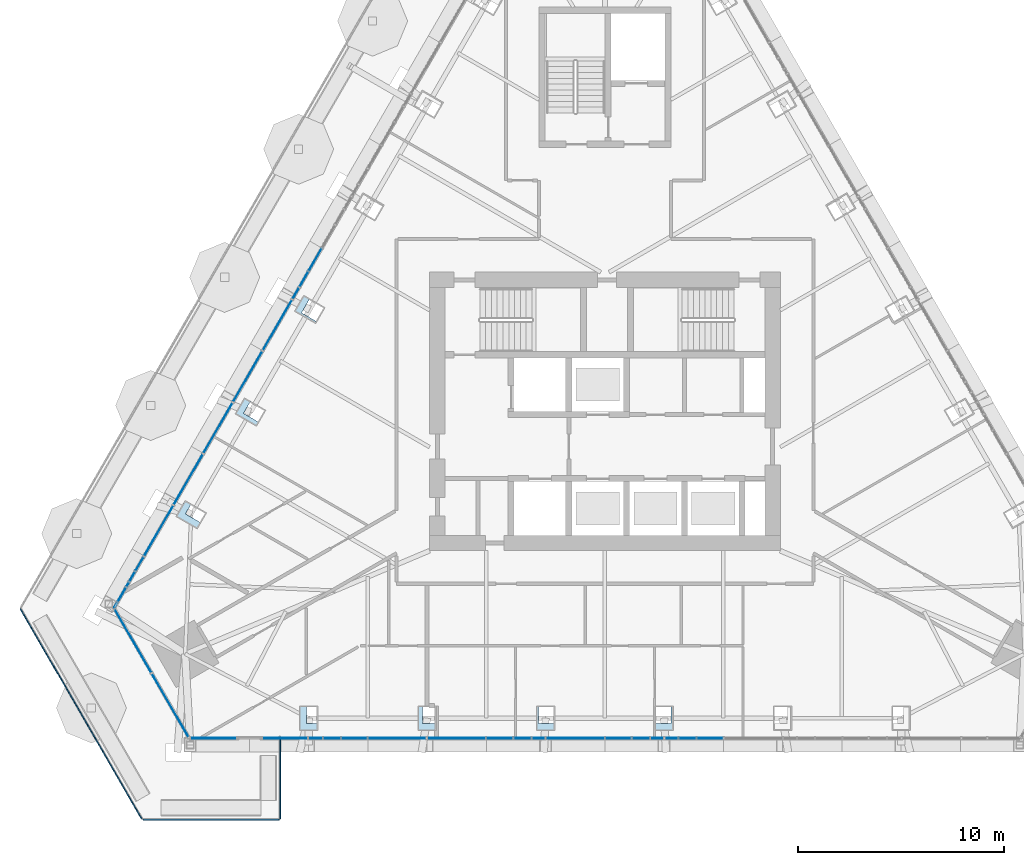
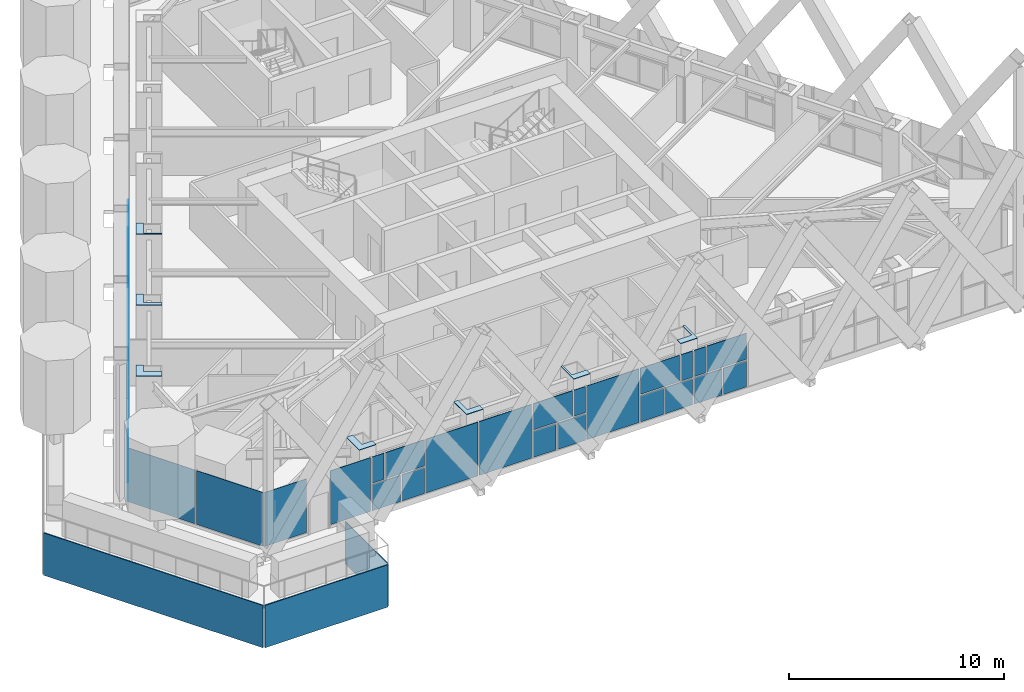
# One storey, part 11 of 24: 48 plates, 3 elements without a shape of their own.
"""IFC4 building model written with IfcOpenShell, lengths in metres."""

from ifc_helpers import new_model, si_unit, direction, frame, origin, place, context, subcontext, project, spatial, polyline, outline, extrude, material, layer, layer_set, type_object, element, aggregate, save


model = new_model("IFC4")

# Units and contexts
model_context = context("Model", 3, precision=1e-05, world=origin(), true_north=direction((0.0, 1.0)))
body_context = subcontext(model_context, "Body", "Model", "MODEL_VIEW")
ifc_project = project(units=[si_unit("LENGTHUNIT", "METRE"), si_unit("AREAUNIT", "SQUARE_METRE"), si_unit("VOLUMEUNIT", "CUBIC_METRE"), si_unit("PLANEANGLEUNIT", "RADIAN"), si_unit("MASSUNIT", "GRAM", prefix="KILO")], contexts=[model_context])

# Site, building, storey
site_placement = place(None, origin())
site = spatial("IfcSite", under=ifc_project, at=site_placement, CompositionType="ELEMENT")
building_placement = place(site_placement, origin())
building = spatial("IfcBuilding", under=site, at=building_placement, Name="Firuza Gate Tower and Library", CompositionType="ELEMENT")
storey_placement = place(building_placement, frame((0.0, 0.0, 323.10009765625)))
storey = spatial("IfcBuildingStorey", under=building, at=storey_placement, Name="L79", CompositionType="ELEMENT", Elevation=323.10009765625)

# Plates
ifc_material_1 = material(Name="Steel S355", Category="steel")
ifc_layer_1 = layer(ifc_material_1, 0.030029296875)
ifc_layer_set_1 = layer_set([ifc_layer_1], Name="Column infill plate 30 Steel S355")
plate_type_1 = type_object("IfcPlateType", Name="Column infill plate 30 Steel S355", PredefinedType="SHEET", material=ifc_layer_set_1)
placement_1 = place(storey_placement, frame((0.0, 0.0, 3.5)))
element("IfcPlate", 1, at=placement_1, inside=storey, type_object=plate_type_1, Name="Infill plate L79:S1", PredefinedType="SHEET", context=body_context, shape_type="SweptSolid", body=[
    extrude(outline(polyline([(61.090087890625, 59.5361328125), (61.090087890625, 59.873046875), (60.533447265625, 59.873046875), (60.533447265625, 60.736083984375), (60.18994140625, 60.736083984375), (60.18994140625, 59.5361328125), (61.090087890625, 59.5361328125)])), origin(), (0.0, 0.0, 1.0), 0.02978515625),
])
element("IfcPlate", 2, at=placement_1, inside=storey, type_object=plate_type_1, Name="Infill plate L79:S2", PredefinedType="SHEET", context=body_context, shape_type="SweptSolid", body=[
    extrude(outline(polyline([(66.833984375, 59.5361328125), (66.833984375, 59.873046875), (66.159912109375, 59.873046875), (66.159912109375, 60.736083984375), (65.93408203125, 60.736083984375), (65.93408203125, 59.5361328125), (66.833984375, 59.5361328125)])), origin(), (0.0, 0.0, 1.0), 0.02978515625),
])
element("IfcPlate", 3, at=placement_1, inside=storey, type_object=plate_type_1, Name="Infill plate L79:S3", PredefinedType="SHEET", context=body_context, shape_type="SweptSolid", body=[
    extrude(outline(polyline([(72.577880859375, 59.5361328125), (72.577880859375, 59.873046875), (71.78662109375, 59.873046875), (71.78662109375, 60.736083984375), (71.677978515625, 60.736083984375), (71.677978515625, 59.5361328125), (72.577880859375, 59.5361328125)])), origin(), (0.0, 0.0, 1.0), 0.02978515625),
])
element("IfcPlate", 4, at=placement_1, inside=storey, type_object=plate_type_1, Name="Infill plate L79:S4", PredefinedType="SHEET", context=body_context, shape_type="SweptSolid", body=[
    extrude(outline(polyline([(78.322021484375, 60.736083984375), (78.21337890625, 60.736083984375), (78.21337890625, 59.873046875), (77.422119140625, 59.873046875), (77.422119140625, 59.5361328125), (78.322021484375, 59.5361328125), (78.322021484375, 60.736083984375)])), origin(), (0.0, 0.0, 1.0), 0.02978515625),
])
element("IfcPlate", 5, at=placement_1, inside=storey, type_object=plate_type_1, Name="Infill plate L79:W4", PredefinedType="SHEET", context=body_context, shape_type="SweptSolid", body=[
    extrude(outline(polyline([(60.986083984375, 79.255126953125), (61.040283203125, 79.34912109375), (60.29296875, 79.780517578125), (60.688720703125, 80.4658203125), (60.396728515625, 80.634521484375), (59.94677734375, 79.85498046875), (60.986083984375, 79.255126953125)])), origin(), (0.0, 0.0, 1.0), 0.02978515625),
])
element("IfcPlate", 6, at=placement_1, inside=storey, type_object=plate_type_1, Name="Infill plate L79:W5", PredefinedType="SHEET", context=body_context, shape_type="SweptSolid", body=[
    extrude(outline(polyline([(58.114013671875, 74.280517578125), (58.22705078125, 74.476318359375), (57.479736328125, 74.90771484375), (57.816650390625, 75.491455078125), (57.52490234375, 75.659912109375), (57.07470703125, 74.880615234375), (58.114013671875, 74.280517578125)])), origin(), (0.0, 0.0, 1.0), 0.02978515625),
])
element("IfcPlate", 7, at=placement_1, inside=storey, type_object=plate_type_1, Name="Infill plate L79:W6", PredefinedType="SHEET", context=body_context, shape_type="SweptSolid", body=[
    extrude(outline(polyline([(55.241943359375, 69.30615234375), (55.413818359375, 69.603515625), (54.66650390625, 70.034912109375), (54.94482421875, 70.51708984375), (54.65283203125, 70.685546875), (54.202880859375, 69.90625), (55.241943359375, 69.30615234375)])), origin(), (0.0, 0.0, 1.0), 0.02978515625),
])

# Curtain wall, plates
ifc_material_2 = material(Name="Aluminium 6063-T6", Category="aluminium")
ifc_layer_2 = layer(ifc_material_2, 0.14990234375)
ifc_layer_set_2 = layer_set([ifc_layer_2], Name="Corner curtain wall, chamfers")
curtain_wall_type_1 = type_object("IfcCurtainWallType", Name="Corner curtain wall, chamfers", PredefinedType="NOTDEFINED", material=ifc_layer_set_2)
placement_2 = place(storey_placement, origin())
curtain_wall_1 = element("IfcCurtainWall", 8, at=placement_2, inside=storey, type_object=curtain_wall_type_1, Name="CW4 L79 SW corner", PredefinedType="NOTDEFINED")
ifc_material_3 = material(Name="Fritted glass", Category="glass")
ifc_layer_3 = layer(ifc_material_3, 0.030029296875)
ifc_layer_set_3 = layer_set([ifc_layer_3], Name="Fritted glass unit, corners")
plate_type_2 = type_object("IfcPlateType", Name="Fritted glass unit, corners", PredefinedType="CURTAIN_PANEL", material=ifc_layer_set_3)
plate_8_placement = place(storey_placement, frame((51.21630859375, 65.42919921875, 0.14990234375), z_axis=(-0.866016723041, -0.500015035186, 0.0), x_axis=(0.500015035186, -0.866016723041, 0.0)))
plate_8 = element("IfcPlate", 9, at=plate_8_placement, type_object=plate_type_2, Name="Glass unit", PredefinedType="CURTAIN_PANEL", context=body_context, shape_type="SweptSolid", body=[
    extrude(outline(polyline([(0.0, 0.0), (3.5633694106530625, 0.0), (3.5633694106530625, 3.050048828125), (0.0, 3.050048828125), (0.0, 0.0)])), origin(), (0.0, 0.0, -1.0), 0.030029296875),
])
plate_9_placement = place(storey_placement, frame((53.0380859375, 62.274169921875, 0.14990234375), z_axis=(-0.866016723041, -0.500015035186, 0.0), x_axis=(0.500015035186, -0.866016723041, 0.0)))
plate_9 = element("IfcPlate", 10, at=plate_9_placement, type_object=plate_type_2, Name="Glass unit", PredefinedType="CURTAIN_PANEL", context=body_context, shape_type="SweptSolid", body=[
    extrude(outline(polyline([(0.0, 0.0), (3.5633694106530625, 0.0), (3.5633694106530625, 3.050048828125), (0.0, 3.050048828125), (0.0, 0.0)])), origin(), (0.0, 0.0, -1.0), 0.030029296875),
])
aggregate(curtain_wall_1, [plate_8, plate_9])

ifc_material_4 = material(Name="Aluminium 6063-T6", Category="aluminium")
ifc_layer_4 = layer(ifc_material_4, 0.14990234375)
ifc_layer_set_4 = layer_set([ifc_layer_4], Name="Unitised curtain wall, residences")
curtain_wall_type_2 = type_object("IfcCurtainWallType", Name="Unitised curtain wall, residences", PredefinedType="NOTDEFINED", material=ifc_layer_set_4)
curtain_wall_2 = element("IfcCurtainWall", 11, at=placement_2, inside=storey, type_object=curtain_wall_type_2, Name="CW3 L79 S face", PredefinedType="NOTDEFINED")
ifc_material_5 = material(Name="Fritted glass", Category="glass")
ifc_layer_5 = layer(ifc_material_5, 0.030029296875)
ifc_layer_set_5 = layer_set([ifc_layer_5], Name="Fritted glass unit, residences")
plate_type_3 = type_object("IfcPlateType", Name="Fritted glass unit, residences", PredefinedType="CURTAIN_PANEL", material=ifc_layer_set_5)
plate_10_placement = place(storey_placement, frame((62.252197265625, 59.14599609375, 0.14990234375), z_axis=(0.0, -1.0, 0.0), x_axis=(1.0, 0.0, 0.0)))
plate_10 = element("IfcPlate", 12, at=plate_10_placement, type_object=plate_type_3, Name="Glass unit", PredefinedType="CURTAIN_PANEL", context=body_context, shape_type="SweptSolid", body=[
    extrude(outline(polyline([(0.0, 0.0), (1.195068359375, 0.0), (1.195068359375, 1.485107421875), (0.0, 1.485107421875), (0.0, 0.0)])), origin(), (0.0, 0.0, -1.0), 0.030029296875),
])
plate_11_placement = place(storey_placement, frame((60.649169921875, 59.14599609375, 1.71484375), z_axis=(0.0, -1.0, 0.0), x_axis=(1.0, 0.0, 0.0)))
plate_11 = element("IfcPlate", 13, at=plate_11_placement, type_object=plate_type_3, Name="Glass unit", PredefinedType="CURTAIN_PANEL", context=body_context, shape_type="SweptSolid", body=[
    extrude(outline(polyline([(0.0, 0.0), (0.642333984375, 0.0), (0.642333984375, 1.485107421875), (0.0, 1.485107421875), (0.0, 0.0)])), origin(), (0.0, 0.0, -1.0), 0.030029296875),
])
plate_12_placement = place(storey_placement, frame((69.28369140625, 59.14599609375, 0.14990234375), z_axis=(0.0, -1.0, 0.0), x_axis=(1.0, 0.0, 0.0)))
plate_12 = element("IfcPlate", 14, at=plate_12_placement, type_object=plate_type_3, Name="Glass unit", PredefinedType="CURTAIN_PANEL", context=body_context, shape_type="SweptSolid", body=[
    extrude(outline(polyline([(0.0, 0.0), (1.23193359375, 0.0), (1.23193359375, 1.485107421875), (0.0, 1.485107421875), (0.0, 0.0)])), origin(), (0.0, 0.0, -1.0), 0.030029296875),
])
plate_13_placement = place(storey_placement, frame((71.4765625, 59.14599609375, 1.71484375), z_axis=(0.0, -1.0, 0.0), x_axis=(1.0, 0.0, 0.0)))
plate_13 = element("IfcPlate", 15, at=plate_13_placement, type_object=plate_type_3, Name="Glass unit", PredefinedType="CURTAIN_PANEL", context=body_context, shape_type="SweptSolid", body=[
    extrude(outline(polyline([(0.0, 0.0), (0.605224609375, 0.0), (0.605224609375, 1.485107421875), (0.0, 1.485107421875), (0.0, 0.0)])), origin(), (0.0, 0.0, -1.0), 0.030029296875),
])
plate_14_placement = place(storey_placement, frame((75.0400390625, 59.14599609375, 0.14990234375), z_axis=(0.0, -1.0, 0.0), x_axis=(1.0, 0.0, 0.0)))
plate_14 = element("IfcPlate", 16, at=plate_14_placement, type_object=plate_type_3, Name="Glass unit", PredefinedType="CURTAIN_PANEL", context=body_context, shape_type="SweptSolid", body=[
    extrude(outline(polyline([(0.0, 0.0), (1.2197265625, 0.0), (1.2197265625, 1.485107421875), (0.0, 1.485107421875), (0.0, 0.0)])), origin(), (0.0, 0.0, -1.0), 0.030029296875),
])
plate_15_placement = place(storey_placement, frame((77.220458984375, 59.14599609375, 1.71484375), z_axis=(0.0, -1.0, 0.0), x_axis=(1.0, 0.0, 0.0)))
plate_15 = element("IfcPlate", 17, at=plate_15_placement, type_object=plate_type_3, Name="Glass unit", PredefinedType="CURTAIN_PANEL", context=body_context, shape_type="SweptSolid", body=[
    extrude(outline(polyline([(0.0, 0.0), (0.61767578125, 0.0), (0.61767578125, 1.485107421875), (0.0, 1.485107421875), (0.0, 0.0)])), origin(), (0.0, 0.0, -1.0), 0.030029296875),
])
plate_16_placement = place(storey_placement, frame((79.484375, 59.14599609375, 0.14990234375), z_axis=(0.0, -1.0, 0.0), x_axis=(1.0, 0.0, 0.0)))
plate_16 = element("IfcPlate", 18, at=plate_16_placement, type_object=plate_type_3, Name="Glass unit", PredefinedType="CURTAIN_PANEL", context=body_context, shape_type="SweptSolid", body=[
    extrude(outline(polyline([(0.0, 0.0), (1.23193359375, 0.0), (1.23193359375, 1.485107421875), (0.0, 1.485107421875), (0.0, 0.0)])), origin(), (0.0, 0.0, -1.0), 0.030029296875),
])
plate_17_placement = place(storey_placement, frame((77.918212890625, 59.14599609375, 1.71484375), z_axis=(0.0, -1.0, 0.0), x_axis=(1.0, 0.0, 0.0)))
plate_17 = element("IfcPlate", 19, at=plate_17_placement, type_object=plate_type_3, Name="Glass unit", PredefinedType="CURTAIN_PANEL", context=body_context, shape_type="SweptSolid", body=[
    extrude(outline(polyline([(0.0, 0.0), (0.605224609375, 0.0), (0.605224609375, 1.485107421875), (0.0, 1.485107421875), (0.0, 0.0)])), origin(), (0.0, 0.0, -1.0), 0.030029296875),
])

curtain_wall_3 = element("IfcCurtainWall", 20, at=placement_2, inside=storey, type_object=curtain_wall_type_2, Name="CW3 L79 W face", PredefinedType="NOTDEFINED")
plate_18_placement = place(storey_placement, frame((61.25, 82.892333984375, 0.14990234375), z_axis=(-0.866042269935, 0.499970785833, 0.0), x_axis=(-0.499970785833, -0.866042269935, 0.0)))
plate_18 = element("IfcPlate", 21, at=plate_18_placement, type_object=plate_type_3, Name="Glass unit", PredefinedType="CURTAIN_PANEL", context=body_context, shape_type="SweptSolid", body=[
    extrude(outline(polyline([(0.0, 0.0), (1.219797833256346, 0.0), (1.219797833256346, 1.485107421875), (0.0, 1.485107421875), (0.0, 0.0)])), origin(), (0.0, 0.0, -1.0), 0.030029296875),
])
plate_19_placement = place(storey_placement, frame((60.159912109375, 81.00390625, 1.71484375), z_axis=(-0.866021029023, 0.500007577232, 0.0), x_axis=(-0.500007577232, -0.866021029023, 0.0)))
plate_19 = element("IfcPlate", 22, at=plate_19_placement, type_object=plate_type_3, Name="Glass unit", PredefinedType="CURTAIN_PANEL", context=body_context, shape_type="SweptSolid", body=[
    extrude(outline(polyline([(0.0, 0.0), (0.6176664208468123, 0.0), (0.6176664208468123, 1.485107421875), (0.0, 1.485107421875), (0.0, 0.0)])), origin(), (0.0, 0.0, -1.0), 0.030029296875),
])
plate_20_placement = place(storey_placement, frame((52.615478515625, 67.936767578125, 0.14990234375), z_axis=(-0.866039359181, 0.499975827765, 0.0), x_axis=(-0.499975827765, -0.866039359181, 0.0)))
plate_20 = element("IfcPlate", 23, at=plate_20_placement, type_object=plate_type_3, Name="Glass unit", PredefinedType="CURTAIN_PANEL", context=body_context, shape_type="SweptSolid", body=[
    extrude(outline(polyline([(0.0, 0.0), (1.3345371737414014, 0.0), (1.3345371737414014, 1.260009765625), (0.0, 1.260009765625), (0.0, 0.0)])), origin(), (0.0, 0.0, -1.0), 0.030029296875),
])
plate_21_placement = place(storey_placement, frame((52.615478515625, 67.936767578125, 1.489990234375), z_axis=(-0.866010510293, 0.500025795397, 0.0), x_axis=(-0.500025795397, -0.866010510293, 0.0)))
plate_21 = element("IfcPlate", 24, at=plate_21_placement, type_object=plate_type_3, Name="Glass unit", PredefinedType="CURTAIN_PANEL", context=body_context, shape_type="SweptSolid", body=[
    extrude(outline(polyline([(0.0, 0.0), (0.7431257240542132, 0.0), (0.7431257240542132, 0.794921875), (0.0, 0.794921875), (0.0, 0.0)])), origin(), (0.0, 0.0, -1.0), 0.030029296875),
])
plate_22_placement = place(storey_placement, frame((51.763427734375, 66.4609375, 2.364990234375), z_axis=(-0.866068339032, 0.499925626596, 0.0), x_axis=(-0.499925626596, -0.866068339032, 0.0)))
plate_22 = element("IfcPlate", 25, at=plate_22_placement, type_object=plate_type_3, Name="Glass unit", PredefinedType="CURTAIN_PANEL", context=body_context, shape_type="SweptSolid", body=[
    extrude(outline(polyline([(0.0, 0.0), (0.7628087778715583, 0.0), (0.7628087778715583, 0.8349609375), (0.0, 0.8349609375), (0.0, 0.0)])), origin(), (0.0, 0.0, -1.0), 0.030029296875),
])

# Plate
ifc_material_6 = material(Name="Glazed ceramic tile")
ifc_layer_6 = layer(ifc_material_6, 0.030029296875)
ifc_layer_set_6 = layer_set([ifc_layer_6], Name="Opaque ceramic panel, residences")
plate_type_4 = type_object("IfcPlateType", Name="Opaque ceramic panel, residences", PredefinedType="CURTAIN_PANEL", material=ifc_layer_set_6)
plate_23_placement = place(storey_placement, frame((54.892578125, 59.14599609375, 0.14990234375), z_axis=(0.0, -1.0, 0.0), x_axis=(1.0, 0.0, 0.0)))
plate_23 = element("IfcPlate", 26, at=plate_23_placement, type_object=plate_type_4, Name="Opaque ceramic panel", PredefinedType="CURTAIN_PANEL", context=body_context, shape_type="SweptSolid", body=[
    extrude(outline(polyline([(0.0, 0.0), (2.240234375, 0.0), (2.240234375, 3.050048828125), (0.0, 3.050048828125), (0.0, 0.0)])), origin(), (0.0, 0.0, -1.0), 0.030029296875),
])

plate_24_placement = place(storey_placement, frame((58.41259765625, 59.14599609375, 0.14990234375), z_axis=(0.0, -1.0, 0.0), x_axis=(1.0, 0.0, 0.0)))
plate_24 = element("IfcPlate", 27, at=plate_24_placement, type_object=plate_type_4, Name="Opaque ceramic panel", PredefinedType="CURTAIN_PANEL", context=body_context, shape_type="SweptSolid", body=[
    extrude(outline(polyline([(0.0, 0.0), (2.156494140625, 0.0), (2.156494140625, 3.050048828125), (0.0, 3.050048828125), (0.0, 0.0)])), origin(), (0.0, 0.0, -1.0), 0.030029296875),
])

plate_25_placement = place(storey_placement, frame((60.649169921875, 59.14599609375, 0.14990234375), z_axis=(0.0, -1.0, 0.0), x_axis=(1.0, 0.0, 0.0)))
plate_25 = element("IfcPlate", 28, at=plate_25_placement, type_object=plate_type_4, Name="Opaque ceramic panel", PredefinedType="CURTAIN_PANEL", context=body_context, shape_type="SweptSolid", body=[
    extrude(outline(polyline([(0.0, 0.0), (1.523193359375, 0.0), (1.523193359375, 1.485107421875), (0.0, 1.485107421875), (0.0, 0.0)])), origin(), (0.0, 0.0, -1.0), 0.030029296875),
])

plate_26_placement = place(storey_placement, frame((61.37158203125, 59.14599609375, 1.71484375), z_axis=(0.0, -1.0, 0.0), x_axis=(1.0, 0.0, 0.0)))
plate_26 = element("IfcPlate", 29, at=plate_26_placement, type_object=plate_type_4, Name="Opaque ceramic panel", PredefinedType="CURTAIN_PANEL", context=body_context, shape_type="SweptSolid", body=[
    extrude(outline(polyline([(0.0, 0.0), (2.07568359375, 0.0), (2.07568359375, 1.485107421875), (0.0, 1.485107421875), (0.0, 0.0)])), origin(), (0.0, 0.0, -1.0), 0.030029296875),
])

plate_27_placement = place(storey_placement, frame((63.52734375, 59.14599609375, 0.14990234375), z_axis=(0.0, -1.0, 0.0), x_axis=(1.0, 0.0, 0.0)))
plate_27 = element("IfcPlate", 30, at=plate_27_placement, type_object=plate_type_4, Name="Opaque ceramic panel", PredefinedType="CURTAIN_PANEL", context=body_context, shape_type="SweptSolid", body=[
    extrude(outline(polyline([(0.0, 0.0), (2.798095703125, 0.0), (2.798095703125, 3.050048828125), (0.0, 3.050048828125), (0.0, 0.0)])), origin(), (0.0, 0.0, -1.0), 0.030029296875),
])

plate_28_placement = place(storey_placement, frame((66.405517578125, 59.14599609375, 0.14990234375), z_axis=(0.0, -1.0, 0.0), x_axis=(1.0, 0.0, 0.0)))
plate_28 = element("IfcPlate", 31, at=plate_28_placement, type_object=plate_type_4, Name="Opaque ceramic panel", PredefinedType="CURTAIN_PANEL", context=body_context, shape_type="SweptSolid", body=[
    extrude(outline(polyline([(0.0, 0.0), (2.798095703125, 0.0), (2.798095703125, 3.050048828125), (0.0, 3.050048828125), (0.0, 0.0)])), origin(), (0.0, 0.0, -1.0), 0.030029296875),
])

plate_29_placement = place(storey_placement, frame((70.595703125, 59.14599609375, 0.14990234375), z_axis=(0.0, -1.0, 0.0), x_axis=(1.0, 0.0, 0.0)))
plate_29 = element("IfcPlate", 32, at=plate_29_placement, type_object=plate_type_4, Name="Opaque ceramic panel", PredefinedType="CURTAIN_PANEL", context=body_context, shape_type="SweptSolid", body=[
    extrude(outline(polyline([(0.0, 0.0), (1.486083984375, 0.0), (1.486083984375, 1.485107421875), (0.0, 1.485107421875), (0.0, 0.0)])), origin(), (0.0, 0.0, -1.0), 0.030029296875),
])

plate_30_placement = place(storey_placement, frame((69.28369140625, 59.14599609375, 1.71484375), z_axis=(0.0, -1.0, 0.0), x_axis=(1.0, 0.0, 0.0)))
plate_30 = element("IfcPlate", 33, at=plate_30_placement, type_object=plate_type_4, Name="Opaque ceramic panel", PredefinedType="CURTAIN_PANEL", context=body_context, shape_type="SweptSolid", body=[
    extrude(outline(polyline([(0.0, 0.0), (2.11279296875, 0.0), (2.11279296875, 1.485107421875), (0.0, 1.485107421875), (0.0, 0.0)])), origin(), (0.0, 0.0, -1.0), 0.030029296875),
])

plate_31_placement = place(storey_placement, frame((72.161865234375, 59.14599609375, 0.14990234375), z_axis=(0.0, -1.0, 0.0), x_axis=(1.0, 0.0, 0.0)))
plate_31 = element("IfcPlate", 34, at=plate_31_placement, type_object=plate_type_4, Name="Opaque ceramic panel", PredefinedType="CURTAIN_PANEL", context=body_context, shape_type="SweptSolid", body=[
    extrude(outline(polyline([(0.0, 0.0), (2.798095703125, 0.0), (2.798095703125, 3.050048828125), (0.0, 3.050048828125), (0.0, 0.0)])), origin(), (0.0, 0.0, -1.0), 0.030029296875),
])

plate_32_placement = place(storey_placement, frame((76.339599609375, 59.14599609375, 0.14990234375), z_axis=(0.0, -1.0, 0.0), x_axis=(1.0, 0.0, 0.0)))
plate_32 = element("IfcPlate", 35, at=plate_32_placement, type_object=plate_type_4, Name="Opaque ceramic panel", PredefinedType="CURTAIN_PANEL", context=body_context, shape_type="SweptSolid", body=[
    extrude(outline(polyline([(0.0, 0.0), (1.49853515625, 0.0), (1.49853515625, 1.485107421875), (0.0, 1.485107421875), (0.0, 0.0)])), origin(), (0.0, 0.0, -1.0), 0.030029296875),
])

plate_33_placement = place(storey_placement, frame((75.0400390625, 59.14599609375, 1.71484375), z_axis=(0.0, -1.0, 0.0), x_axis=(1.0, 0.0, 0.0)))
plate_33 = element("IfcPlate", 36, at=plate_33_placement, type_object=plate_type_4, Name="Opaque ceramic panel", PredefinedType="CURTAIN_PANEL", context=body_context, shape_type="SweptSolid", body=[
    extrude(outline(polyline([(0.0, 0.0), (2.100341796875, 0.0), (2.100341796875, 1.485107421875), (0.0, 1.485107421875), (0.0, 0.0)])), origin(), (0.0, 0.0, -1.0), 0.030029296875),
])

plate_34_placement = place(storey_placement, frame((77.918212890625, 59.14599609375, 0.14990234375), z_axis=(0.0, -1.0, 0.0), x_axis=(1.0, 0.0, 0.0)))
plate_34 = element("IfcPlate", 37, at=plate_34_placement, type_object=plate_type_4, Name="Opaque ceramic panel", PredefinedType="CURTAIN_PANEL", context=body_context, shape_type="SweptSolid", body=[
    extrude(outline(polyline([(0.0, 0.0), (1.486083984375, 0.0), (1.486083984375, 1.485107421875), (0.0, 1.485107421875), (0.0, 0.0)])), origin(), (0.0, 0.0, -1.0), 0.030029296875),
])

plate_35_placement = place(storey_placement, frame((78.603515625, 59.14599609375, 1.71484375), z_axis=(0.0, -1.0, 0.0), x_axis=(1.0, 0.0, 0.0)))
plate_35 = element("IfcPlate", 38, at=plate_35_placement, type_object=plate_type_4, Name="Opaque ceramic panel", PredefinedType="CURTAIN_PANEL", context=body_context, shape_type="SweptSolid", body=[
    extrude(outline(polyline([(0.0, 0.0), (2.11279296875, 0.0), (2.11279296875, 1.485107421875), (0.0, 1.485107421875), (0.0, 0.0)])), origin(), (0.0, 0.0, -1.0), 0.030029296875),
])

aggregate(curtain_wall_2, [plate_23, plate_24, plate_25, plate_10, plate_11, plate_26, plate_27, plate_28, plate_12, plate_29, plate_30, plate_13, plate_31, plate_14, plate_32, plate_33, plate_15, plate_34, plate_16, plate_17, plate_35])

plate_36_placement = place(storey_placement, frame((60.60009765625, 81.766845703125, 0.14990234375), z_axis=(-0.866109628736, 0.499854089722, 0.0), x_axis=(-0.499854089722, -0.866109628736, 0.0)))
plate_36 = element("IfcPlate", 39, at=plate_36_placement, type_object=plate_type_4, Name="Opaque ceramic panel", PredefinedType="CURTAIN_PANEL", context=body_context, shape_type="SweptSolid", body=[
    extrude(outline(polyline([(0.0, 0.0), (1.4984841634825534, 0.0), (1.4984841634825534, 1.4851074218750002), (0.0, 1.4851074218750002), (0.0, 0.0)])), origin(), (0.0, 0.0, -1.0), 0.030029296875),
])

plate_37_placement = place(storey_placement, frame((61.25, 82.892333984375, 1.71484375), z_axis=(-0.866017192888, 0.50001422142, 0.0), x_axis=(-0.50001422142, -0.866017192888, 0.0)))
plate_37 = element("IfcPlate", 40, at=plate_37_placement, type_object=plate_type_4, Name="Opaque ceramic panel", PredefinedType="CURTAIN_PANEL", context=body_context, shape_type="SweptSolid", body=[
    extrude(outline(polyline([(0.0, 0.0), (2.100526192567854, 0.0), (2.100526192567854, 1.485107421875), (0.0, 1.485107421875), (0.0, 0.0)])), origin(), (0.0, 0.0, -1.0), 0.030029296875),
])

plate_38_placement = place(storey_placement, frame((59.81103515625, 80.399658203125, 0.14990234375), z_axis=(-0.865995230276, 0.500052258409, 0.0), x_axis=(-0.500052258409, -0.865995230276, 0.0)))
plate_38 = element("IfcPlate", 41, at=plate_38_placement, type_object=plate_type_4, Name="Opaque ceramic panel", PredefinedType="CURTAIN_PANEL", context=body_context, shape_type="SweptSolid", body=[
    extrude(outline(polyline([(0.0, 0.0), (2.798047400739046, 0.0), (2.798047400739046, 3.050048828125), (0.0, 3.050048828125), (0.0, 0.0)])), origin(), (0.0, 0.0, -1.0), 0.030029296875),
])

plate_39_placement = place(storey_placement, frame((58.371826171875, 77.9072265625, 0.14990234375), z_axis=(-0.866054824954, 0.499949037577, 0.0), x_axis=(-0.499949037577, -0.866054824954, 0.0)))
plate_39 = element("IfcPlate", 42, at=plate_39_placement, type_object=plate_type_4, Name="Opaque ceramic panel", PredefinedType="CURTAIN_PANEL", context=body_context, shape_type="SweptSolid", body=[
    extrude(outline(polyline([(0.0, 0.0), (2.798136762160169, 0.0), (2.798136762160169, 3.0500488281249996), (0.0, 3.0500488281249996), (0.0, 0.0)])), origin(), (0.0, 0.0, -1.0), 0.030029296875),
])

plate_40_placement = place(storey_placement, frame((56.932861328125, 75.41455078125, 0.14990234375), z_axis=(-0.866017045845, 0.500014476097, 0.0), x_axis=(-0.500014476097, -0.866017045845, 0.0)))
plate_40 = element("IfcPlate", 43, at=plate_40_placement, type_object=plate_type_4, Name="Opaque ceramic panel", PredefinedType="CURTAIN_PANEL", context=body_context, shape_type="SweptSolid", body=[
    extrude(outline(polyline([(0.0, 0.0), (2.7982588280189464, 0.0), (2.7982588280189464, 3.050048828125), (0.0, 3.050048828125), (0.0, 0.0)])), origin(), (0.0, 0.0, -1.0), 0.030029296875),
])

plate_41_placement = place(storey_placement, frame((55.49365234375, 72.922119140625, 0.14990234375), z_axis=(-0.866017045845, 0.500014476097, 0.0), x_axis=(-0.500014476097, -0.866017045845, 0.0)))
plate_41 = element("IfcPlate", 44, at=plate_41_placement, type_object=plate_type_4, Name="Opaque ceramic panel", PredefinedType="CURTAIN_PANEL", context=body_context, shape_type="SweptSolid", body=[
    extrude(outline(polyline([(0.0, 0.0), (2.7982588280189464, 0.0), (2.7982588280189464, 3.050048828125), (0.0, 3.050048828125), (0.0, 0.0)])), origin(), (0.0, 0.0, -1.0), 0.030029296875),
])

plate_42_placement = place(storey_placement, frame((54.0546875, 70.429443359375, 0.14990234375), z_axis=(-0.866017045845, 0.500014476097, 0.0), x_axis=(-0.500014476097, -0.866017045845, 0.0)))
plate_42 = element("IfcPlate", 45, at=plate_42_placement, type_object=plate_type_4, Name="Opaque ceramic panel", PredefinedType="CURTAIN_PANEL", context=body_context, shape_type="SweptSolid", body=[
    extrude(outline(polyline([(0.0, 0.0), (2.7982588280189464, 0.0), (2.7982588280189464, 3.050048828125), (0.0, 3.050048828125), (0.0, 0.0)])), origin(), (0.0, 0.0, -1.0), 0.030029296875),
])

plate_43_placement = place(storey_placement, frame((51.908203125, 66.711669921875, 0.14990234375), z_axis=(-0.86595339429, 0.500124703366, 0.0), x_axis=(-0.500124703366, -0.86595339429, 0.0)))
plate_43 = element("IfcPlate", 46, at=plate_43_placement, type_object=plate_type_4, Name="Opaque ceramic panel", PredefinedType="CURTAIN_PANEL", context=body_context, shape_type="SweptSolid", body=[
    extrude(outline(polyline([(0.0, 0.0), (1.383444022246644, 0.0), (1.383444022246644, 1.260009765625), (0.0, 1.260009765625), (0.0, 0.0)])), origin(), (0.0, 0.0, -1.0), 0.030029296875),
])

plate_44_placement = place(storey_placement, frame((52.203857421875, 67.223876953125, 1.489990234375), z_axis=(-0.865989998118, 0.500061319399, 0.0), x_axis=(-0.500061319399, -0.865989998118, 0.0)))
plate_44 = element("IfcPlate", 47, at=plate_44_placement, type_object=plate_type_4, Name="Opaque ceramic panel", PredefinedType="CURTAIN_PANEL", context=body_context, shape_type="SweptSolid", body=[
    extrude(outline(polyline([(0.0, 0.0), (1.974855462350498, 0.0), (1.974855462350498, 0.794921875), (0.0, 0.794921875), (0.0, 0.0)])), origin(), (0.0, 0.0, -1.0), 0.030029296875),
])

plate_45_placement = place(storey_placement, frame((52.615478515625, 67.936767578125, 2.364990234375), z_axis=(-0.866032882975, 0.499987045439, 0.0), x_axis=(-0.499987045439, -0.866032882975, 0.0)))
plate_45 = element("IfcPlate", 48, at=plate_45_placement, type_object=plate_type_4, Name="Opaque ceramic panel", PredefinedType="CURTAIN_PANEL", context=body_context, shape_type="SweptSolid", body=[
    extrude(outline(polyline([(0.0, 0.0), (1.6240655156119124, 0.0), (1.6240655156119124, 0.8349609374999999), (0.0, 0.8349609374999999), (0.0, 0.0)])), origin(), (0.0, 0.0, -1.0), 0.030029296875),
])

aggregate(curtain_wall_3, [plate_18, plate_36, plate_37, plate_19, plate_38, plate_39, plate_40, plate_41, plate_42, plate_20, plate_43, plate_21, plate_44, plate_45, plate_22])

# Plates
ifc_material_7 = material(Name="Aluminium 6063-T6", Category="aluminium")
ifc_layer_7 = layer(ifc_material_7, 0.050048828125)
ifc_layer_set_7 = layer_set([ifc_layer_7], Name="Tray fascia panel 50")
plate_type_5 = type_object("IfcPlateType", Name="Tray fascia panel 50", PredefinedType="SHEET", material=ifc_layer_set_7)
plate_46_placement = place(storey_placement, frame((46.64892578125, 65.419921875, -2.400146484375), z_axis=(-0.866022727898, -0.500004634743, 0.0), x_axis=(0.500004634743, -0.866022727898, 0.0)))
element("IfcPlate", 49, at=plate_46_placement, inside=storey, type_object=plate_type_5, Name="Tray fascia L79 4", PredefinedType="SHEET", context=body_context, shape_type="SweptSolid", body=[
    extrude(outline(polyline([(0.0, 0.0), (11.758191788851283, 0.0), (11.758191788851283, 2.400146484375), (0.0, 2.400146484375), (0.0, 0.0)])), origin(), (0.0, 0.0, -1.0), 0.050048828125),
])
plate_47_placement = place(storey_placement, frame((52.616943359375, 55.18603515625, -2.400146484375), z_axis=(0.0, -1.0, 0.0), x_axis=(1.0, 0.0, 0.0)))
element("IfcPlate", 50, at=plate_47_placement, inside=storey, type_object=plate_type_5, Name="Tray fascia L79 5", PredefinedType="SHEET", context=body_context, shape_type="SweptSolid", body=[
    extrude(outline(polyline([(0.0, 0.0), (6.589111328125, 0.0), (6.589111328125, 2.400146484375), (0.0, 2.400146484375), (0.0, 0.0)])), origin(), (0.0, 0.0, -1.0), 0.050048828125),
])
plate_48_placement = place(storey_placement, frame((59.285888671875, 55.26611328125, -2.400146484375), z_axis=(1.0, 0.0, 0.0), x_axis=(0.0, 1.0, 0.0)))
element("IfcPlate", 51, at=plate_48_placement, inside=storey, type_object=plate_type_5, Name="Tray fascia L79 6", PredefinedType="SHEET", context=body_context, shape_type="SweptSolid", body=[
    extrude(outline(polyline([(0.0, 0.0), (3.93994140625, 0.0), (3.93994140625, 2.400146484375), (0.0, 2.400146484375), (0.0, 0.0)])), origin(), (0.0, 0.0, -1.0), 0.050048828125),
])

save(model, "model.ifc")
